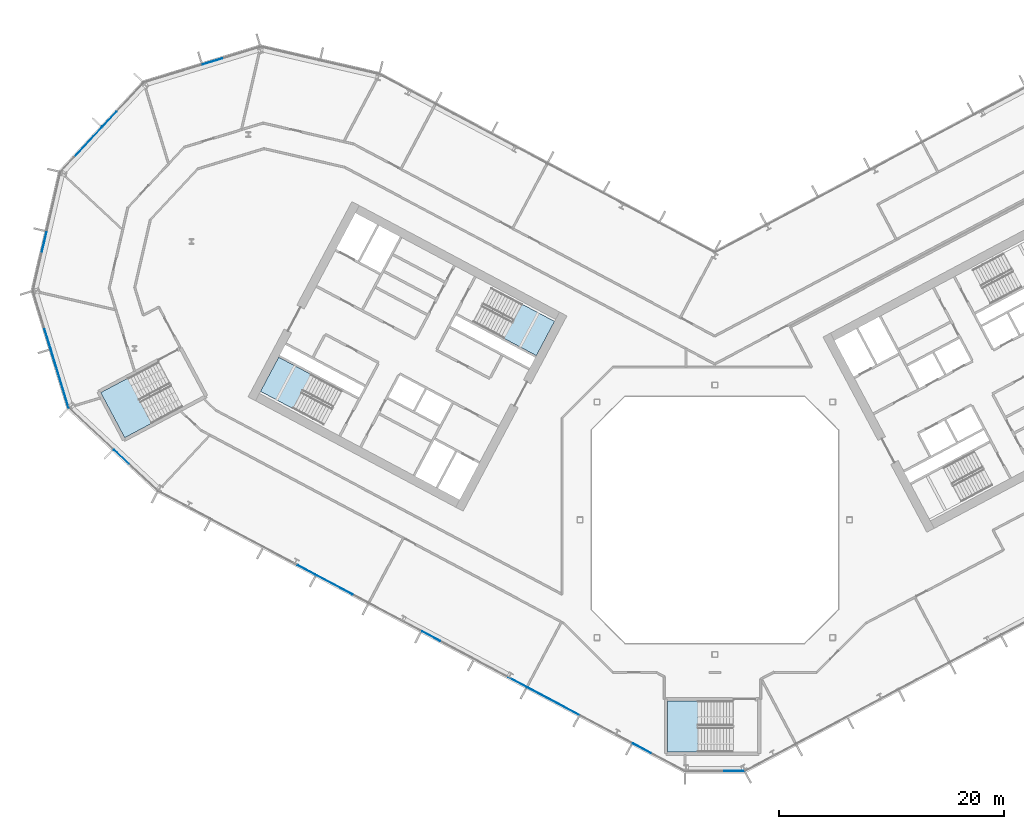
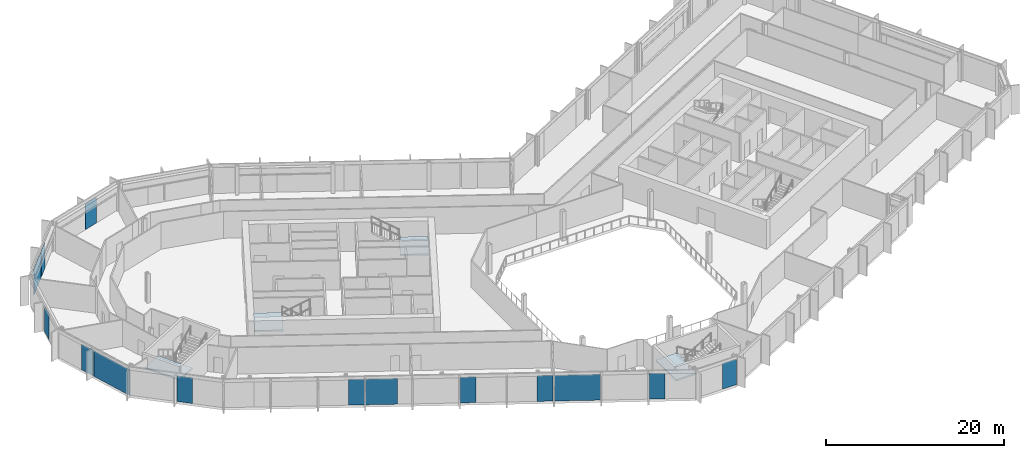
# One storey, part 11 of 28: 14 plates, 4 slabs, 11 elements without a shape of their own.
"""IFC4 building model written with IfcOpenShell, lengths in metres."""

from ifc_helpers import new_model, si_unit, direction, frame, origin, origin_2d, place, context, subcontext, project, spatial, polyline, rectangle, outline, extrude, material, layer, layer_set, type_object, element, aggregate, save


model = new_model("IFC4")

# Units and contexts
model_context = context("Model", 3, precision=1e-05, world=origin(), true_north=direction((0.0, 1.0)))
body_context = subcontext(model_context, "Body", "Model", "MODEL_VIEW")
ifc_project = project(units=[si_unit("LENGTHUNIT", "METRE"), si_unit("AREAUNIT", "SQUARE_METRE"), si_unit("VOLUMEUNIT", "CUBIC_METRE"), si_unit("PLANEANGLEUNIT", "RADIAN"), si_unit("MASSUNIT", "GRAM", prefix="KILO")], contexts=[model_context])

# Site, building, storey
site_placement = place(None, origin())
site = spatial("IfcSite", under=ifc_project, at=site_placement, CompositionType="ELEMENT")
building_placement = place(site_placement, origin())
building = spatial("IfcBuilding", under=site, at=building_placement, Name="Cormorant Relay Tower", CompositionType="ELEMENT")
storey_placement = place(building_placement, frame((0.0, 0.0, 158.199951171875)))
storey = spatial("IfcBuildingStorey", under=building, at=storey_placement, Name="L33", CompositionType="ELEMENT", Elevation=158.199951171875)

# Curtain wall, plate
ifc_material_1 = material(Name="Aluminium 6063-T6 anodised bronze", Category="aluminium")
ifc_layer_1 = layer(ifc_material_1, 0.199951171875)
ifc_layer_set_1 = layer_set([ifc_layer_1], Name="CW1 unitised bronze curtain wall with vertical fins")
curtain_wall_type = type_object("IfcCurtainWallType", Name="CW1 unitised bronze curtain wall with vertical fins", PredefinedType="NOTDEFINED", material=ifc_layer_set_1)
curtain_wall_1_placement = place(storey_placement, origin())
curtain_wall_1 = element("IfcCurtainWall", 1, at=curtain_wall_1_placement, inside=storey, type_object=curtain_wall_type, Name="CW1 curtain wall 1", PredefinedType="NOTDEFINED")
ifc_material_2 = material(Name="Tinted laminated glass", Category="glass")
ifc_layer_2 = layer(ifc_material_2, 0.0400390625)
ifc_layer_set_2 = layer_set([ifc_layer_2], Name="CW1 tinted vision panel 1800 module")
plate_type_1 = type_object("IfcPlateType", Name="CW1 tinted vision panel 1800 module", PredefinedType="CURTAIN_PANEL", material=ifc_layer_set_2)
plate_1_placement = place(storey_placement, frame((1.748779296875, -22.3955078125, 0.0), z_axis=(0.0, 0.0, 1.0), x_axis=(1.0, 0.0, 0.0)))
plate_1 = element("IfcPlate", 2, at=plate_1_placement, type_object=plate_type_1, Name="CW1 panel V01", PredefinedType="CURTAIN_PANEL", context=body_context, shape_type="SweptSolid", body=[
    extrude(rectangle(XDim=1.800048828125, YDim=0.0400390625, at=origin_2d()), origin(), (0.0, 0.0, 1.0), 3.550048828125),
])
aggregate(curtain_wall_1, [plate_1])

curtain_wall_2_placement = place(storey_placement, origin())
curtain_wall_2 = element("IfcCurtainWall", 3, at=curtain_wall_2_placement, inside=storey, type_object=curtain_wall_type, Name="CW1 curtain wall 11", PredefinedType="NOTDEFINED")
plate_2_placement = place(storey_placement, frame((-44.73681640625, 40.82861328125, 0.0), z_axis=(0.0, 0.0, 1.0), x_axis=(-0.956304755963, -0.292371704723, 0.0)))
plate_2 = element("IfcPlate", 4, at=plate_2_placement, type_object=plate_type_1, Name="CW1 panel V01", PredefinedType="CURTAIN_PANEL", context=body_context, shape_type="SweptSolid", body=[
    extrude(rectangle(XDim=1.800048828125, YDim=0.0400390625, at=origin_2d()), origin(), (0.0, 0.0, 1.0), 3.550048828125),
])
aggregate(curtain_wall_2, [plate_2])

curtain_wall_3_placement = place(storey_placement, origin())
curtain_wall_3 = element("IfcCurtainWall", 5, at=curtain_wall_3_placement, inside=storey, type_object=curtain_wall_type, Name="CW1 curtain wall 12", PredefinedType="NOTDEFINED")
plate_3_placement = place(storey_placement, frame((-53.91748046875, 35.68701171875, 0.0), z_axis=(0.0, 0.0, 1.0), x_axis=(-0.681998360062, -0.731353701619, 0.0)))
plate_3 = element("IfcPlate", 6, at=plate_3_placement, type_object=plate_type_1, Name="CW1 panel V01", PredefinedType="CURTAIN_PANEL", context=body_context, shape_type="SweptSolid", body=[
    extrude(rectangle(XDim=1.800048828125, YDim=0.0400390625, at=origin_2d()), origin(), (0.0, 0.0, 1.0), 3.550048828125),
])

curtain_wall_4_placement = place(storey_placement, origin())
curtain_wall_4 = element("IfcCurtainWall", 7, at=curtain_wall_4_placement, inside=storey, type_object=curtain_wall_type, Name="CW1 curtain wall 13", PredefinedType="NOTDEFINED")
plate_4_placement = place(storey_placement, frame((-59.736083984375, 24.74365234375, 0.0), z_axis=(0.0, 0.0, 1.0), x_axis=(-0.224951054344, -0.974370064785, 0.0)))
plate_4 = element("IfcPlate", 8, at=plate_4_placement, type_object=plate_type_1, Name="CW1 panel V01", PredefinedType="CURTAIN_PANEL", context=body_context, shape_type="SweptSolid", body=[
    extrude(rectangle(XDim=1.800048828125, YDim=0.0400390625, at=origin_2d()), origin(), (0.0, 0.0, 1.0), 3.550048828125),
])
aggregate(curtain_wall_4, [plate_4])

curtain_wall_5_placement = place(storey_placement, origin())
curtain_wall_5 = element("IfcCurtainWall", 9, at=curtain_wall_5_placement, inside=storey, type_object=curtain_wall_type, Name="CW1 curtain wall 14", PredefinedType="NOTDEFINED")
plate_5_placement = place(storey_placement, frame((-59.434814453125, 16.122314453125, 0.0), z_axis=(0.0, 0.0, 1.0), x_axis=(0.292371704723, -0.956304755963, 0.0)))
plate_5 = element("IfcPlate", 10, at=plate_5_placement, type_object=plate_type_1, Name="CW1 panel V01", PredefinedType="CURTAIN_PANEL", context=body_context, shape_type="SweptSolid", body=[
    extrude(rectangle(XDim=1.800048828125, YDim=0.0400390625, at=origin_2d()), origin(), (0.0, 0.0, 1.0), 3.550048828125),
])

curtain_wall_6_placement = place(storey_placement, origin())
curtain_wall_6 = element("IfcCurtainWall", 11, at=curtain_wall_6_placement, inside=storey, type_object=curtain_wall_type, Name="CW1 curtain wall 15", PredefinedType="NOTDEFINED")
plate_6_placement = place(storey_placement, frame((-52.8671875, 5.611572265625, 0.0), z_axis=(0.0, 0.0, 1.0), x_axis=(0.731353701619, -0.681998360062, 0.0)))
plate_6 = element("IfcPlate", 12, at=plate_6_placement, type_object=plate_type_1, Name="CW1 panel V01", PredefinedType="CURTAIN_PANEL", context=body_context, shape_type="SweptSolid", body=[
    extrude(rectangle(XDim=1.800048828125, YDim=0.0400390625, at=origin_2d()), origin(), (0.0, 0.0, 1.0), 3.550048828125),
])
aggregate(curtain_wall_6, [plate_6])

# Curtain wall, plates
curtain_wall_7_placement = place(storey_placement, origin())
curtain_wall_7 = element("IfcCurtainWall", 13, at=curtain_wall_7_placement, inside=storey, type_object=curtain_wall_type, Name="CW1 curtain wall 16", PredefinedType="NOTDEFINED")
plate_7_placement = place(storey_placement, frame((-36.37890625, -4.463623046875, 0.0), z_axis=(0.0, 0.0, 1.0), x_axis=(0.882947592859, -0.469471562786, 0.0)))
plate_7 = element("IfcPlate", 14, at=plate_7_placement, type_object=plate_type_1, Name="CW1 panel V03", PredefinedType="CURTAIN_PANEL", context=body_context, shape_type="SweptSolid", body=[
    extrude(rectangle(XDim=1.800048828125, YDim=0.0400390625, at=origin_2d()), origin(), (0.0, 0.0, 1.0), 3.550048828125),
])
plate_8_placement = place(storey_placement, frame((-25.268798828125, -10.37109375, 0.0), z_axis=(0.0, 0.0, 1.0), x_axis=(0.882947592859, -0.469471562786, 0.0)))
plate_8 = element("IfcPlate", 15, at=plate_8_placement, type_object=plate_type_1, Name="CW1 panel V06", PredefinedType="CURTAIN_PANEL", context=body_context, shape_type="SweptSolid", body=[
    extrude(rectangle(XDim=1.800048828125, YDim=0.0400390625, at=origin_2d()), origin(), (0.0, 0.0, 1.0), 3.550048828125),
])
plate_9_placement = place(storey_placement, frame((-17.601806640625, -14.447509765625, 0.0), z_axis=(0.0, 0.0, 1.0), x_axis=(0.882947592859, -0.469471562786, 0.0)))
plate_9 = element("IfcPlate", 16, at=plate_9_placement, type_object=plate_type_1, Name="CW1 panel V08", PredefinedType="CURTAIN_PANEL", context=body_context, shape_type="SweptSolid", body=[
    extrude(rectangle(XDim=1.800048828125, YDim=0.0400390625, at=origin_2d()), origin(), (0.0, 0.0, 1.0), 3.550048828125),
])
plate_10_placement = place(storey_placement, frame((-6.49169921875, -20.35498046875, 0.0), z_axis=(0.0, 0.0, 1.0), x_axis=(0.882947592859, -0.469471562786, 0.0)))
plate_10 = element("IfcPlate", 17, at=plate_10_placement, type_object=plate_type_1, Name="CW1 panel V11", PredefinedType="CURTAIN_PANEL", context=body_context, shape_type="SweptSolid", body=[
    extrude(rectangle(XDim=1.800048828125, YDim=0.0400390625, at=origin_2d()), origin(), (0.0, 0.0, 1.0), 3.550048828125),
])

# Plate
ifc_material_3 = material(Name="Tinted laminated glass", Category="glass")
ifc_layer_3 = layer(ifc_material_3, 0.0400390625)
ifc_layer_set_3 = layer_set([ifc_layer_3], Name="CW1 tinted vision panel 3600 module")
plate_type_2 = type_object("IfcPlateType", Name="CW1 tinted vision panel 3600 module", PredefinedType="CURTAIN_PANEL", material=ifc_layer_set_3)
plate_11_placement = place(storey_placement, frame((-55.861083984375, 33.6025390625, 0.0), z_axis=(0.0, 0.0, 1.0), x_axis=(-0.681998360062, -0.731353701619, 0.0)))
plate_11 = element("IfcPlate", 18, at=plate_11_placement, type_object=plate_type_2, Name="CW1 panel V02", PredefinedType="CURTAIN_PANEL", context=body_context, shape_type="SweptSolid", body=[
    extrude(rectangle(XDim=3.60009765625, YDim=0.0400390625, at=origin_2d()), origin(), (0.0, 0.0, 1.0), 3.550048828125),
])

aggregate(curtain_wall_3, [plate_3, plate_11])

plate_12_placement = place(storey_placement, frame((-33.862548828125, -5.801513671875, 0.0), z_axis=(0.0, 0.0, 1.0), x_axis=(0.882947592859, -0.469471562786, 0.0)))
plate_12 = element("IfcPlate", 19, at=plate_12_placement, type_object=plate_type_2, Name="CW1 panel V04", PredefinedType="CURTAIN_PANEL", context=body_context, shape_type="SweptSolid", body=[
    extrude(rectangle(XDim=3.60009765625, YDim=0.0400390625, at=origin_2d()), origin(), (0.0, 0.0, 1.0), 3.550048828125),
])

ifc_material_4 = material(Name="Tinted laminated glass", Category="glass")
ifc_layer_4 = layer(ifc_material_4, 0.0400390625)
ifc_layer_set_4 = layer_set([ifc_layer_4], Name="CW1 tinted vision panel 5400 module")
plate_type_3 = type_object("IfcPlateType", Name="CW1 tinted vision panel 5400 module", PredefinedType="CURTAIN_PANEL", material=ifc_layer_set_4)
plate_13_placement = place(storey_placement, frame((-58.344482421875, 12.55517578125, 0.0), z_axis=(0.0, 0.0, 1.0), x_axis=(0.292371704723, -0.956304755963, 0.0)))
plate_13 = element("IfcPlate", 20, at=plate_13_placement, type_object=plate_type_3, Name="CW1 panel V02", PredefinedType="CURTAIN_PANEL", context=body_context, shape_type="SweptSolid", body=[
    extrude(rectangle(XDim=5.360107421875, YDim=0.0400390625, at=origin_2d()), origin(), (0.0, 0.0, 1.0), 3.550048828125),
])

aggregate(curtain_wall_5, [plate_5, plate_13])

plate_14_placement = place(storey_placement, frame((-14.393798828125, -16.1533203125, 0.0), z_axis=(0.0, 0.0, 1.0), x_axis=(0.882947592859, -0.469471562786, 0.0)))
plate_14 = element("IfcPlate", 21, at=plate_14_placement, type_object=plate_type_3, Name="CW1 panel V09", PredefinedType="CURTAIN_PANEL", context=body_context, shape_type="SweptSolid", body=[
    extrude(rectangle(XDim=5.16650390625, YDim=0.0400390625, at=origin_2d()), origin(), (0.0, 0.0, 1.0), 3.550048828125),
])

aggregate(curtain_wall_7, [plate_7, plate_12, plate_8, plate_9, plate_14, plate_10])

# Stair, slab
ifc_material_5 = material(Name="Concrete 40 MPa", Category="concrete")
stair_type_1 = type_object("IfcStairType", Name="Exit stair 1500", PredefinedType="HALF_TURN_STAIR", material=ifc_material_5)
stair_1_placement = place(storey_placement, origin())
stair_1 = element("IfcStair", 22, at=stair_1_placement, inside=storey, type_object=stair_type_1, Name="L33 Stair", PredefinedType="HALF_TURN_STAIR")
ifc_material_6 = material(Name="Concrete 40 MPa", Category="concrete")
ifc_layer_5 = layer(ifc_material_6, 0.199951171875)
ifc_layer_set_5 = layer_set([ifc_layer_5], Name="Exit stair landing 200")
slab_type = type_object("IfcSlabType", Name="Exit stair landing 200", PredefinedType="LANDING", material=ifc_layer_set_5)
slab_1_placement = place(storey_placement, frame((0.0, 0.0, 1.800048828125)))
slab_1 = element("IfcSlab", 23, at=slab_1_placement, type_object=slab_type, Name="A1 landing 1", PredefinedType="LANDING", context=body_context, shape_type="SweptSolid", body=[
    extrude(outline(polyline([(-18.7822265625, 16.1591796875), (-15.89501953125, 14.6240234375), (-14.275390625, 17.670166015625), (-17.16259765625, 19.205322265625), (-18.7822265625, 16.1591796875)])), origin(), (0.0, 0.0, 1.0), 0.199951171875),
])
aggregate(stair_1, [slab_1])

stair_2_placement = place(storey_placement, origin())
stair_2 = element("IfcStair", 24, at=stair_2_placement, inside=storey, type_object=stair_type_1, Name="L33 Stair", PredefinedType="HALF_TURN_STAIR")
slab_2_placement = place(storey_placement, frame((0.0, 0.0, 1.800048828125)))
slab_2 = element("IfcSlab", 25, at=slab_2_placement, type_object=slab_type, Name="A2 landing 1", PredefinedType="LANDING", context=body_context, shape_type="SweptSolid", body=[
    extrude(outline(polyline([(-35.96044921875, 12.947998046875), (-38.84765625, 14.483154296875), (-40.467529296875, 11.43701171875), (-37.580322265625, 9.90185546875), (-35.96044921875, 12.947998046875)])), origin(), (0.0, 0.0, 1.0), 0.199951171875),
])
aggregate(stair_2, [slab_2])

ifc_material_7 = material(Name="Concrete 40 MPa", Category="concrete")
stair_type_2 = type_object("IfcStairType", Name="Remote exit stair 2200", PredefinedType="HALF_TURN_STAIR", material=ifc_material_7)
stair_3_placement = place(storey_placement, origin())
stair_3 = element("IfcStair", 26, at=stair_3_placement, inside=storey, type_object=stair_type_2, Name="L33 Stair", PredefinedType="HALF_TURN_STAIR")
slab_3_placement = place(storey_placement, frame((0.0, 0.0, 1.800048828125)))
slab_3 = element("IfcSlab", 27, at=slab_3_placement, type_object=slab_type, Name="RK1 landing 1", PredefinedType="LANDING", context=body_context, shape_type="SweptSolid", body=[
    extrude(outline(polyline([(-1.47998046875, -16.125), (-4.199951171875, -16.125), (-4.199951171875, -20.675048828125), (-1.47998046875, -20.675048828125), (-1.47998046875, -16.125)])), origin(), (0.0, 0.0, 1.0), 0.199951171875),
])
aggregate(stair_3, [slab_3])

stair_4_placement = place(storey_placement, origin())
stair_4 = element("IfcStair", 28, at=stair_4_placement, inside=storey, type_object=stair_type_2, Name="L33 Stair", PredefinedType="HALF_TURN_STAIR")
slab_4_placement = place(storey_placement, frame((0.0, 0.0, 1.800048828125)))
slab_4 = element("IfcSlab", 29, at=slab_4_placement, type_object=slab_type, Name="RP1 landing 1", PredefinedType="LANDING", context=body_context, shape_type="SweptSolid", body=[
    extrude(outline(polyline([(-52.29833984375, 12.607666015625), (-54.699951171875, 11.330810546875), (-52.563720703125, 7.3134765625), (-50.162109375, 8.59033203125), (-52.29833984375, 12.607666015625)])), origin(), (0.0, 0.0, 1.0), 0.199951171875),
])
aggregate(stair_4, [slab_4])

save(model, "model.ifc")
